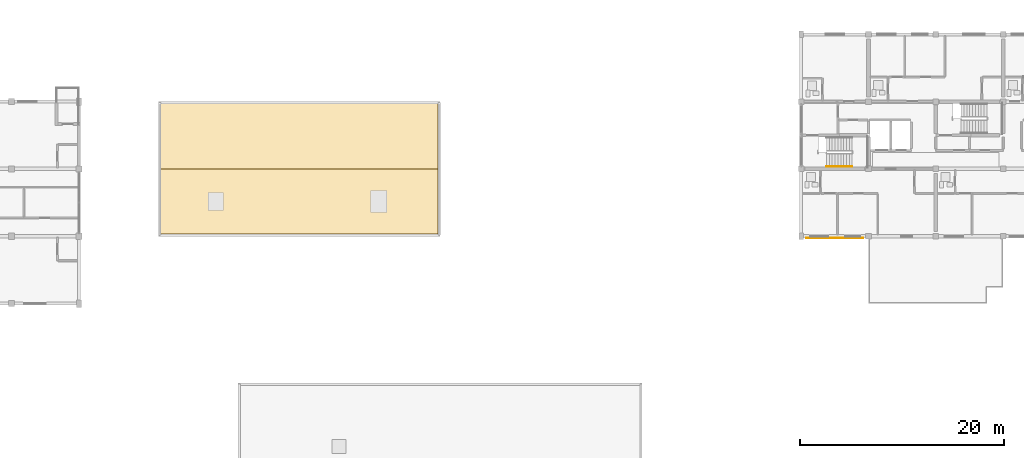
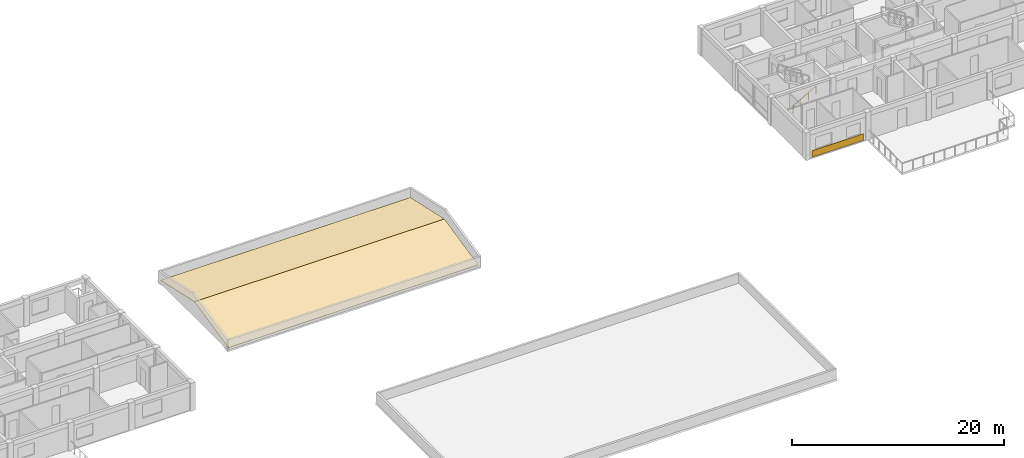
# One storey, part 48 of 51: 3 coverings, 1 railing.
"""IFC4 building model written with IfcOpenShell, lengths in metres."""

from ifc_helpers import new_model, si_unit, direction, frame, origin, origin_2d, place, context, subcontext, project, spatial, polyline, rectangle, circle, outline, extrude, material, layer, layer_set, type_object, element, save


model = new_model("IFC4")

# Units and contexts
model_context = context("Model", 3, precision=1e-05, world=origin(), true_north=direction((0.0, 1.0)))
body_context = subcontext(model_context, "Body", "Model", "MODEL_VIEW")
ifc_project = project(units=[si_unit("LENGTHUNIT", "METRE"), si_unit("AREAUNIT", "SQUARE_METRE"), si_unit("VOLUMEUNIT", "CUBIC_METRE"), si_unit("PLANEANGLEUNIT", "RADIAN"), si_unit("MASSUNIT", "GRAM", prefix="KILO")], contexts=[model_context])

# Site, building, storey
site_placement = place(None, origin())
site = spatial("IfcSite", under=ifc_project, at=site_placement, CompositionType="ELEMENT")
building_placement = place(site_placement, origin())
building = spatial("IfcBuilding", under=site, at=building_placement, Name="Kernevlak Ridge Housing Community", CompositionType="ELEMENT")
storey_placement = place(building_placement, frame((0.0, 0.0, 8.39990234375)))
storey = spatial("IfcBuildingStorey", under=building, at=storey_placement, Name="L02", CompositionType="ELEMENT", Elevation=8.39990234375)

# Coverings
ifc_material_1 = material(Name="Cool-white TPO membrane over rigid roof insulation")
ifc_layer_1 = layer(ifc_material_1, 0.06005859375, Name="Cool-white TPO membrane over rigid roof insulation")
ifc_layer_set_1 = layer_set([ifc_layer_1], Name="Cool-white TPO membrane over rigid roof insulation")
covering_type_1 = type_object("IfcCoveringType", Name="CV-03", PredefinedType="ROOFING", material=ifc_layer_set_1)
covering_1_placement = place(storey_placement, frame((56.60009765625, 82.800048828125, 0.10546875), z_axis=(0.0, -0.214574618892, 0.976707598479), x_axis=(1.0, 0.0, 0.0)))
element("IfcCovering", 1, at=covering_1_placement, inside=storey, type_object=covering_type_1, Name="Community Nursery cool-white roof membrane (south slope)", PredefinedType="ROOFING", context=body_context, shape_type="SweptSolid", body=[
    extrude(outline(polyline([(0.0, 0.0), (27.199951171875, 0.0), (27.199951171875, 6.552526420101912), (0.0, 6.552526420101912), (0.0, 0.0)])), origin(), (0.0, 0.0, -1.0), 0.06005859375),
])
covering_2_placement = place(storey_placement, frame((56.60009765625, 89.199951171875, 1.511474609375), z_axis=(0.0, 0.214566810551, 0.976709313875), x_axis=(1.0, 0.0, 0.0)))
element("IfcCovering", 2, at=covering_2_placement, inside=storey, type_object=covering_type_1, Name="Community Nursery cool-white roof membrane (north slope)", PredefinedType="ROOFING", context=body_context, shape_type="SweptSolid", body=[
    extrude(outline(polyline([(0.0, 0.0), (27.199951171875, 0.0), (27.199951171875, 6.55276487431485), (0.0, 6.55276487431485), (0.0, 0.0)])), origin(), (0.0, 0.0, -1.0), 0.06005859375),
])
ifc_material_2 = material(Name="Aluminium EN AW-5005 enamelled cladding", Category="aluminium")
ifc_layer_2 = layer(ifc_material_2, 0.030029296875, Name="Aluminium EN AW-5005 enamelled cladding")
ifc_layer_set_2 = layer_set([ifc_layer_2], Name="Aluminium EN AW-5005 enamelled cladding")
covering_type_2 = type_object("IfcCoveringType", Name="CV-04", PredefinedType="CLADDING", material=ifc_layer_set_2)
covering_3_placement = place(storey_placement, frame((122.699951171875, 82.43505859375, 0.0751953125), z_axis=(0.0, 0.0, 1.0), x_axis=(1.0, 0.0, 0.0)))
element("IfcCovering", 3, at=covering_3_placement, inside=storey, type_object=covering_type_2, Name="Block B L02 De Stijl blue spandrel cladding", PredefinedType="CLADDING", context=body_context, shape_type="SweptSolid", body=[
    extrude(rectangle(XDim=5.60009765625, YDim=0.030029296875, at=origin_2d()), origin(), (0.0, 0.0, 1.0), 0.75),
])

# Railing
ifc_material_3 = material(Name="Stainless steel EN 1.4401", Category="steel")
railing_type = type_object("IfcRailingType", Name="HR-01", PredefinedType="HANDRAIL", material=ifc_material_3)
railing_placement = place(storey_placement, frame((121.8798828125, 89.419921875, 0.16015625)))
element("IfcRailing", 4, at=railing_placement, inside=storey, type_object=railing_type, Name="Stair ST-B1 L02 flight 1 handrail", PredefinedType="HANDRAIL", context=body_context, shape_type="SweptSolid", body=[
    extrude(circle(Radius=0.02392578125, at=origin_2d()), frame((0.0, 0.0, 0.89599609375), z_axis=(0.868253494771, 0.0, 0.496120820787), x_axis=(0.0, 1.0, 0.0)), (0.0, 0.0, 1.0), 2.90234375),
    extrude(circle(Radius=0.02099609375, at=origin_2d()), origin(), (0.0, 0.0, 1.0), 0.871826171875),
    extrude(circle(Radius=0.02099609375, at=origin_2d()), frame((0.840087890625, 0.0, 0.47998046875)), (0.0, 0.0, 1.0), 0.871826171875),
    extrude(circle(Radius=0.02099609375, at=origin_2d()), frame((1.679931640625, 0.0, 0.9599609375)), (0.0, 0.0, 1.0), 0.871826171875),
    extrude(circle(Radius=0.02099609375, at=origin_2d()), frame((2.52001953125, 0.0, 1.43994140625)), (0.0, 0.0, 1.0), 0.871826171875),
])

save(model, "model.ifc")
